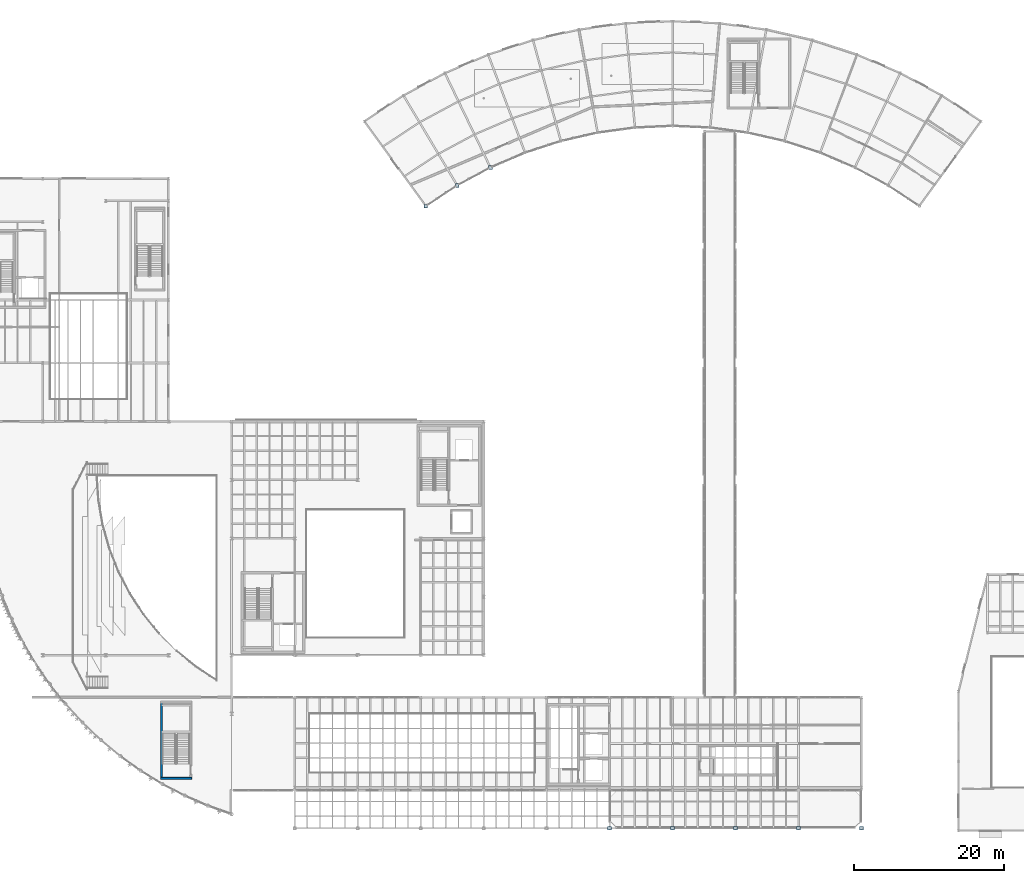
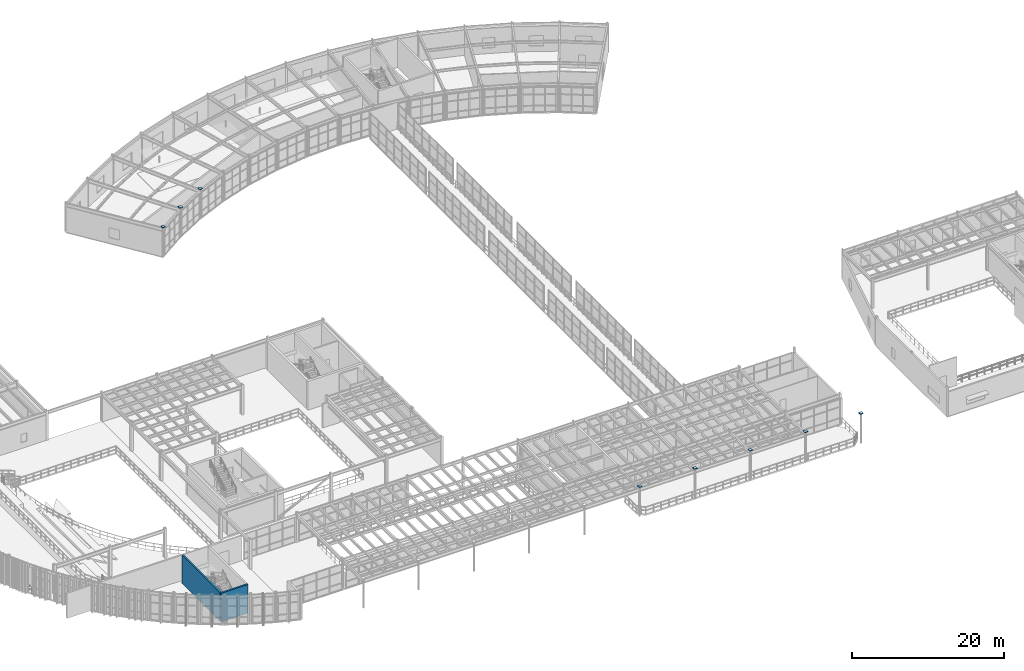
# One storey, part 85 of 105: 8 plates, 2 walls.
"""IFC4 building model written with IfcOpenShell, lengths in metres."""

from ifc_helpers import new_model, si_unit, direction, frame, frame_2d, origin, origin_2d, place, context, subcontext, project, spatial, rectangle, extrude, material, layer, layer_set, type_object, element, save


model = new_model("IFC4")

# Units and contexts
model_context = context("Model", 3, precision=1e-05, world=origin(), true_north=direction((0.0, 1.0)))
body_context = subcontext(model_context, "Body", "Model", "MODEL_VIEW")
ifc_project = project(units=[si_unit("LENGTHUNIT", "METRE"), si_unit("AREAUNIT", "SQUARE_METRE"), si_unit("VOLUMEUNIT", "CUBIC_METRE"), si_unit("PLANEANGLEUNIT", "RADIAN"), si_unit("MASSUNIT", "GRAM", prefix="KILO")], contexts=[model_context])

# Site, building, storey
site_placement = place(None, origin())
site = spatial("IfcSite", under=ifc_project, at=site_placement, CompositionType="ELEMENT")
building_placement = place(site_placement, origin())
building = spatial("IfcBuilding", under=site, at=building_placement, Name="Selat Folded Stagehouse", CompositionType="ELEMENT")
storey_placement = place(building_placement, frame((0.0, 0.0, 10.199951171875)))
storey = spatial("IfcBuildingStorey", under=building, at=storey_placement, Name="L02", CompositionType="ELEMENT", Elevation=10.199951171875)

# Plates
ifc_material_1 = material(Name="Steel S355", Category="steel")
ifc_layer_1 = layer(ifc_material_1, 0.02490234375)
ifc_layer_set_1 = layer_set([ifc_layer_1], Name="Steel S355")
plate_type = type_object("IfcPlateType", Name="PLT-BASE-500x500x25", PredefinedType="USERDEFINED", material=ifc_layer_set_1)
for number, where, z_axis, x_axis, name in (
    (1, (84.0, 0.35009765625, 4.800048828125), (0.0, 0.0, 1.0), (1.0, 0.0, 0.0), "Hollow column end cap plate STK-COLPOST-84"),
    (2, (92.39990234375, 0.35009765625, 4.800048828125), (0.0, 0.0, 1.0), (1.0, 0.0, 0.0), "Hollow column end cap plate STK-COLPOST-92"),
    (3, (100.800048828125, 0.35009765625, 4.800048828125), (0.0, 0.0, 1.0), (1.0, 0.0, 0.0), "Hollow column end cap plate STK-COLPOST-100"),
    (4, (109.199951171875, 0.35009765625, 4.800048828125), (0.0, 0.0, 1.0), (1.0, 0.0, 0.0), "Hollow column end cap plate STK-COLPOST-109"),
    (5, (117.60009765625, 0.35009765625, 4.800048828125), (0.0, 0.0, 1.0), (1.0, 0.0, 0.0), "Hollow column end cap plate STK-COLPOST-117"),
    (6, (59.48388671875, 83.304931640625, 4.800048828125), (0.0, 0.0, 1.0), (1.0, 0.0, 0.0), "Hollow column end cap plate STK-V6IN-00"),
    (7, (63.677490234375, 86.072998046875, 4.800048828125), (0.0, 0.0, 1.0), (1.0, 0.0, 0.0), "Hollow column end cap plate STK-V6IN-01"),
    (8, (68.1025390625, 88.454345703125, 4.800048828125), (0.0, 0.0, 1.0), (1.0, 0.0, 0.0), "Hollow column end cap plate STK-V6IN-02"),
):
    element("IfcPlate", number, at=place(storey_placement, frame(where, z_axis=z_axis, x_axis=x_axis)), inside=storey, type_object=plate_type, Name=name, ObjectType="BASE_PLATE", PredefinedType="USERDEFINED", context=body_context, shape_type="SweptSolid", body=[
        extrude(rectangle(XDim=0.5, YDim=0.5, at=origin_2d()), origin(), (0.0, 0.0, 1.0), 0.02490234375),
    ])

# Walls
ifc_material_2 = material(Name="Concrete C50/60", Category="concrete")
ifc_layer_2 = layer(ifc_material_2, 0.25)
ifc_layer_set_2 = layer_set([ifc_layer_2], Name="Concrete C50/60")
wall_type = type_object("IfcWallType", Name="WAL-CORE-250", PredefinedType="SHEAR", material=ifc_layer_set_2)
wall_1_placement = place(storey_placement, frame((28.264892578125, 7.0, 0.0), z_axis=(0.0, 0.0, 1.0), x_axis=(-1.0, 0.0, 0.0)))
element("IfcWall", 9, at=wall_1_placement, inside=storey, type_object=wall_type, Name="L02 ST-09 south shaft wall", PredefinedType="SHEAR", context=body_context, shape_type="SweptSolid", body=[
    extrude(rectangle(XDim=4.14990234375, YDim=0.25, at=frame_2d((2.074951171875, 0.0))), origin(), (0.0, 0.0, 1.0), 4.60009765625),
])
wall_2_placement = place(storey_placement, frame((24.239990234375, 7.125, 0.0), z_axis=(0.0, 0.0, 1.0), x_axis=(0.0, 1.0, 0.0)))
element("IfcWall", 10, at=wall_2_placement, inside=storey, type_object=wall_type, Name="L02 ST-09 west shaft wall", PredefinedType="SHEAR", context=body_context, shape_type="SweptSolid", body=[
    extrude(rectangle(XDim=9.909912109375, YDim=0.25, at=frame_2d((4.955078125, 0.0))), origin(), (0.0, 0.0, 1.0), 4.60009765625),
])

save(model, "model.ifc")
